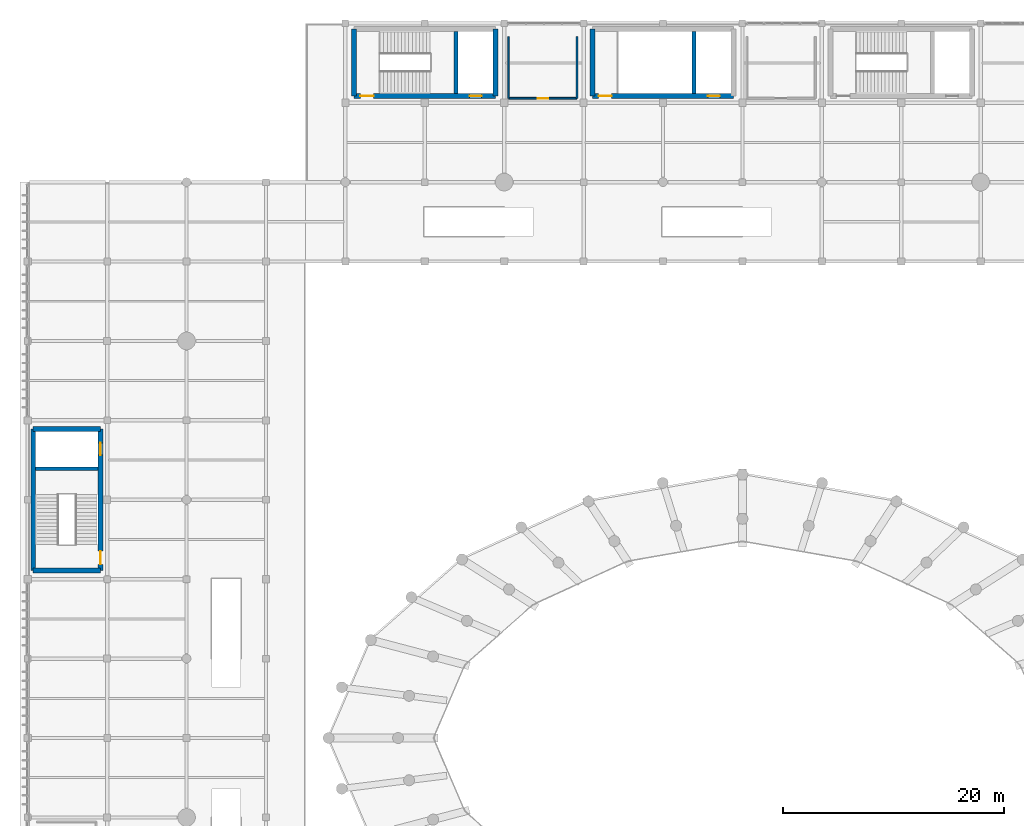
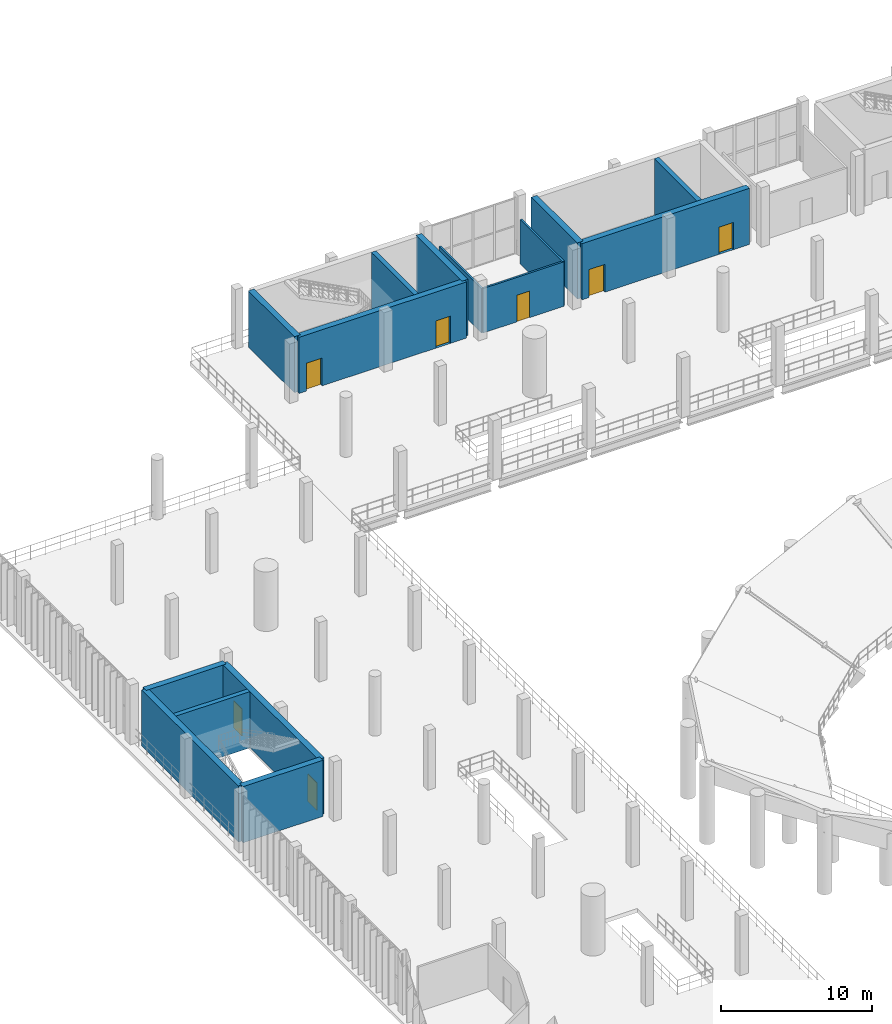
# One storey, part 85 of 105: 15 walls, 7 doors, 7 openings.
"""IFC4 building model written with IfcOpenShell, lengths in metres."""

from ifc_helpers import new_model, si_unit, direction, frame, frame_2d, origin, place, context, subcontext, project, spatial, rectangle, extrude, material, layer, layer_set, type_object, element, fill, save


model = new_model("IFC4")

# Units and contexts
model_context = context("Model", 3, precision=1e-05, world=origin(), true_north=direction((0.0, 1.0)))
body_context = subcontext(model_context, "Body", "Model", "MODEL_VIEW")
ifc_project = project(units=[si_unit("LENGTHUNIT", "METRE"), si_unit("AREAUNIT", "SQUARE_METRE"), si_unit("VOLUMEUNIT", "CUBIC_METRE"), si_unit("PLANEANGLEUNIT", "RADIAN"), si_unit("MASSUNIT", "GRAM", prefix="KILO")], contexts=[model_context])

# Site, building, storey
site_placement = place(None, origin())
site = spatial("IfcSite", under=ifc_project, at=site_placement, CompositionType="ELEMENT")
building_placement = place(site_placement, origin())
building = spatial("IfcBuilding", under=site, at=building_placement, Name="Qandorah Velis Arena", CompositionType="ELEMENT")
storey_placement = place(building_placement, frame((0.0, 0.0, 13.800048828125)))
storey = spatial("IfcBuildingStorey", under=building, at=storey_placement, Name="L03", CompositionType="ELEMENT", Elevation=13.800048828125)

# Wall, opening, door
ifc_material_1 = material(Name="Concrete C35/45", Category="concrete")
ifc_layer_1 = layer(ifc_material_1, 0.14990234375)
ifc_layer_set_1 = layer_set([ifc_layer_1], Name="Concrete C35/45")
wall_type_1 = type_object("IfcWallType", Name="ARC-WAL-PART150", PredefinedType="PARTITIONING", material=ifc_layer_set_1)
wall_1_placement = place(storey_placement, frame((43.60009765625, 122.800048828125, 0.0), z_axis=(0.0, 0.0, 1.0), x_axis=(1.0, 0.0, 0.0)))
wall_1 = element("IfcWall", 1, at=wall_1_placement, inside=storey, type_object=wall_type_1, Name="Interior partition L03-L03-MWC (S)", PredefinedType="PARTITIONING", context=body_context, shape_type="SweptSolid", body=[
    extrude(rectangle(XDim=6.199951171875, YDim=0.14990234375, at=frame_2d((3.10009765625, 0.0))), origin(), (0.0, 0.0, 1.0), 3.58984375),
])
opening_1_placement = place(wall_1_placement, frame((2.625, 0.0, 0.0)))
opening_1 = element("IfcOpeningElement", 2, at=opening_1_placement, cuts=wall_1, Name="Opening D4", PredefinedType="OPENING", context=body_context, shape_type="SweptSolid", body=[
    extrude(rectangle(XDim=0.949951171875, YDim=2.14990234375, at=frame_2d((0.47509765625, 1.074951171875))), frame((0.0, 0.0849609375, 0.0), z_axis=(0.0, -1.0, 0.0), x_axis=(1.0, 0.0, 0.0)), (0.0, 0.0, 1.0), 0.169921875),
])
ifc_material_2 = material(Name="Moisture-resistant laminate door")
door_type_1 = type_object("IfcDoorType", Name="ARC-DR-WC950", OperationType="NOTDEFINED", PredefinedType="DOOR", material=ifc_material_2)
door_1_placement = place(opening_1_placement, origin())
door_1 = element("IfcDoor", 3, at=door_1_placement, inside=storey, type_object=door_type_1, Name="Door L03-L03-MWC", OperationType="SINGLE_SWING_LEFT", OverallHeight=2.14990234375, OverallWidth=0.949951171875, PredefinedType="DOOR", context=body_context, shape_type="SweptSolid", body=[
    extrude(rectangle(XDim=0.949951171875, YDim=2.14990234375, at=frame_2d((0.47509765625, 1.074951171875))), frame((0.0, 0.02490234375, 0.0), z_axis=(0.0, -1.0, 0.0), x_axis=(1.0, 0.0, 0.0)), (0.0, 0.0, 1.0), 0.050048828125),
])
fill(opening_1, door_1)

# Walls
for number, where, z_axis, x_axis, name in (
    (4, (49.800048828125, 122.800048828125, 0.0), (0.0, 0.0, 1.0), (0.0, 1.0, 0.0), "Interior partition L03-L03-MWC (E)"),
    (5, (43.60009765625, 128.39990234375, 0.0), (0.0, 0.0, 1.0), (0.0, -1.0, 0.0), "Interior partition L03-L03-MWC (W)"),
):
    element("IfcWall", number, at=place(storey_placement, frame(where, z_axis=z_axis, x_axis=x_axis)), inside=storey, type_object=wall_type_1, Name=name, PredefinedType="PARTITIONING", context=body_context, shape_type="SweptSolid", body=[
        extrude(rectangle(XDim=5.599853515625, YDim=0.14990234375, at=frame_2d((2.7998046875, 0.0))), origin(), (0.0, 0.0, 1.0), 3.58984375),
    ])

# Wall, openings, doors
ifc_material_3 = material(Name="Concrete C40/50", Category="concrete")
ifc_layer_2 = layer(ifc_material_3, 0.449951171875)
ifc_layer_set_2 = layer_set([ifc_layer_2], Name="Concrete C40/50")
wall_type_2 = type_object("IfcWallType", Name="STR-WAL-CORE450", PredefinedType="SHEAR", material=ifc_layer_set_2)
wall_2_placement = place(storey_placement, frame((29.60009765625, 123.0, 0.0), z_axis=(0.0, 0.0, 1.0), x_axis=(1.0, 0.0, 0.0)))
wall_2 = element("IfcWall", 6, at=wall_2_placement, inside=storey, type_object=wall_type_2, Name="Core CORE-03 shear wall S (L03)", PredefinedType="SHEAR", context=body_context, shape_type="SweptSolid", body=[
    extrude(rectangle(XDim=12.7998046875, YDim=0.449951171875, at=frame_2d((6.39990234375, 0.0))), origin(), (0.0, 0.0, 1.0), 4.530029296875),
])
opening_2_placement = place(wall_2_placement, frame((0.550048828125, 0.0, 0.0)))
opening_2 = element("IfcOpeningElement", 7, at=opening_2_placement, cuts=wall_2, Name="Opening SD1", PredefinedType="OPENING", context=body_context, shape_type="SweptSolid", body=[
    extrude(rectangle(XDim=1.199951171875, YDim=2.25, at=frame_2d((0.60009765625, 1.125))), frame((0.0, 0.23486328125, 0.0), z_axis=(0.0, -1.0, 0.0), x_axis=(1.0, 0.0, 0.0)), (0.0, 0.0, 1.0), 0.469970703125),
])
opening_3_placement = place(wall_2_placement, frame((10.4580078125, 0.0, 0.0)))
opening_3 = element("IfcOpeningElement", 8, at=opening_3_placement, cuts=wall_2, Name="Opening LD1", PredefinedType="OPENING", context=body_context, shape_type="SweptSolid", body=[
    extrude(rectangle(XDim=1.10009765625, YDim=2.199951171875, at=frame_2d((0.550048828125, 1.10009765625))), frame((0.0, 0.23486328125, 0.0), z_axis=(0.0, -1.0, 0.0), x_axis=(1.0, 0.0, 0.0)), (0.0, 0.0, 1.0), 0.469970703125),
])
ifc_material_4 = material(Name="Stainless steel sliding lift landing door", Category="steel")
door_type_2 = type_object("IfcDoorType", Name="ARC-DR-LD1100", OperationType="NOTDEFINED", PredefinedType="DOOR", material=ifc_material_4)
door_2_placement = place(opening_3_placement, origin())
door_2 = element("IfcDoor", 9, at=door_2_placement, inside=storey, type_object=door_type_2, Name="Lift PL1 sliding landing door (L03)", OperationType="SLIDING_TO_LEFT", OverallHeight=2.199951171875, OverallWidth=1.10009765625, PredefinedType="DOOR", context=body_context, shape_type="SweptSolid", body=[
    extrude(rectangle(XDim=1.10009765625, YDim=2.199951171875, at=frame_2d((0.550048828125, 1.10009765625))), frame((0.0, 0.02490234375, 0.0), z_axis=(0.0, -1.0, 0.0), x_axis=(1.0, 0.0, 0.0)), (0.0, 0.0, 1.0), 0.050048828125),
])
fill(opening_3, door_2)
ifc_material_5 = material(Name="Self-closing fire-rated stair steel door", Category="steel")
door_type_3 = type_object("IfcDoorType", Name="ARC-DR-ST1200", OperationType="NOTDEFINED", PredefinedType="DOOR", material=ifc_material_5)
door_3_placement = place(opening_2_placement, origin())
door_3 = element("IfcDoor", 10, at=door_3_placement, inside=storey, type_object=door_type_3, Name="Stair ST3 fire door (L03)", OperationType="SINGLE_SWING_RIGHT", OverallHeight=2.25, OverallWidth=1.199951171875, PredefinedType="DOOR", context=body_context, shape_type="SweptSolid", body=[
    extrude(rectangle(XDim=1.199951171875, YDim=2.25, at=frame_2d((0.60009765625, 1.125))), frame((0.0, 0.02490234375, 0.0), z_axis=(0.0, -1.0, 0.0), x_axis=(1.0, 0.0, 0.0)), (0.0, 0.0, 1.0), 0.050048828125),
])
fill(opening_2, door_3)

# Walls
for number, where, z_axis, x_axis, name in (
    (11, (29.60009765625, 123.0, 0.0), (0.0, 0.0, 1.0), (0.0, 1.0, 0.0), "Core CORE-03 shear wall W (L03)"),
    (12, (42.39990234375, 123.0, 0.0), (0.0, 0.0, 1.0), (0.0, 1.0, 0.0), "Core CORE-03 shear wall E (L03)"),
    (13, (0.5, 80.0, 0.0), (0.0, 0.0, 1.0), (1.0, 0.0, 0.0), "Core CORE-06 shear wall S (L03)"),
    (14, (0.5, 92.800048828125, 0.0), (0.0, 0.0, 1.0), (1.0, 0.0, 0.0), "Core CORE-06 shear wall N (L03)"),
):
    element("IfcWall", number, at=place(storey_placement, frame(where, z_axis=z_axis, x_axis=x_axis)), inside=storey, type_object=wall_type_2, Name=name, PredefinedType="SHEAR", context=body_context, shape_type="SweptSolid", body=[
        extrude(rectangle(XDim=6.10009765625, YDim=0.449951171875, at=frame_2d((3.050048828125, 0.0))), origin(), (0.0, 0.0, 1.0), 4.530029296875),
    ])
wall_3_placement = place(storey_placement, frame((0.5, 80.0, 0.0), z_axis=(0.0, 0.0, 1.0), x_axis=(0.0, 1.0, 0.0)))
element("IfcWall", 15, at=wall_3_placement, inside=storey, type_object=wall_type_2, Name="Core CORE-06 shear wall W (L03)", PredefinedType="SHEAR", context=body_context, shape_type="SweptSolid", body=[
    extrude(rectangle(XDim=12.800048828125, YDim=0.449951171875, at=frame_2d((6.39990234375, 0.0))), origin(), (0.0, 0.0, 1.0), 4.530029296875),
])

# Wall, openings, doors
wall_4_placement = place(storey_placement, frame((6.60009765625, 80.0, 0.0), z_axis=(0.0, 0.0, 1.0), x_axis=(0.0, 1.0, 0.0)))
wall_4 = element("IfcWall", 16, at=wall_4_placement, inside=storey, type_object=wall_type_2, Name="Core CORE-06 shear wall E (L03)", PredefinedType="SHEAR", context=body_context, shape_type="SweptSolid", body=[
    extrude(rectangle(XDim=12.800048828125, YDim=0.449951171875, at=frame_2d((6.39990234375, 0.0))), origin(), (0.0, 0.0, 1.0), 4.530029296875),
])
opening_4_placement = place(wall_4_placement, frame((0.550048828125, 0.0, 0.0)))
opening_4 = element("IfcOpeningElement", 17, at=opening_4_placement, cuts=wall_4, Name="Opening SD1", PredefinedType="OPENING", context=body_context, shape_type="SweptSolid", body=[
    extrude(rectangle(XDim=1.199951171875, YDim=2.25, at=frame_2d((0.60009765625, 1.125))), frame((0.0, 0.23486328125, 0.0), z_axis=(0.0, -1.0, 0.0), x_axis=(1.0, 0.0, 0.0)), (0.0, 0.0, 1.0), 0.469970703125),
])
opening_5_placement = place(wall_4_placement, frame((10.4580078125, 0.0, 0.0)))
opening_5 = element("IfcOpeningElement", 18, at=opening_5_placement, cuts=wall_4, Name="Opening LD1", PredefinedType="OPENING", context=body_context, shape_type="SweptSolid", body=[
    extrude(rectangle(XDim=1.10009765625, YDim=2.199951171875, at=frame_2d((0.550048828125, 1.10009765625))), frame((0.0, 0.23486328125, 0.0), z_axis=(0.0, -1.0, 0.0), x_axis=(1.0, 0.0, 0.0)), (0.0, 0.0, 1.0), 0.469970703125),
])
door_4_placement = place(opening_5_placement, origin())
door_4 = element("IfcDoor", 19, at=door_4_placement, inside=storey, type_object=door_type_2, Name="Lift PL4 sliding landing door (L03)", OperationType="SLIDING_TO_LEFT", OverallHeight=2.199951171875, OverallWidth=1.10009765625, PredefinedType="DOOR", context=body_context, shape_type="SweptSolid", body=[
    extrude(rectangle(XDim=1.10009765625, YDim=2.199951171875, at=frame_2d((0.550048828125, 1.10009765625))), frame((0.0, 0.02490234375, 0.0), z_axis=(0.0, -1.0, 0.0), x_axis=(1.0, 0.0, 0.0)), (0.0, 0.0, 1.0), 0.050048828125),
])
fill(opening_5, door_4)
door_5_placement = place(opening_4_placement, origin())
door_5 = element("IfcDoor", 20, at=door_5_placement, inside=storey, type_object=door_type_3, Name="Stair ST6 fire door (L03)", OperationType="SINGLE_SWING_RIGHT", OverallHeight=2.25, OverallWidth=1.199951171875, PredefinedType="DOOR", context=body_context, shape_type="SweptSolid", body=[
    extrude(rectangle(XDim=1.199951171875, YDim=2.25, at=frame_2d((0.60009765625, 1.125))), frame((0.0, 0.02490234375, 0.0), z_axis=(0.0, -1.0, 0.0), x_axis=(1.0, 0.0, 0.0)), (0.0, 0.0, 1.0), 0.050048828125),
])
fill(opening_4, door_5)

wall_5_placement = place(storey_placement, frame((51.199951171875, 123.0, 0.0), z_axis=(0.0, 0.0, 1.0), x_axis=(1.0, 0.0, 0.0)))
wall_5 = element("IfcWall", 21, at=wall_5_placement, inside=storey, type_object=wall_type_2, Name="Core CORE-10 shear wall S (L03)", PredefinedType="SHEAR", context=body_context, shape_type="SweptSolid", body=[
    extrude(rectangle(XDim=12.800048828125, YDim=0.449951171875, at=frame_2d((6.39990234375, 0.0))), origin(), (0.0, 0.0, 1.0), 4.530029296875),
])
opening_6_placement = place(wall_5_placement, frame((0.550048828125, 0.0, 0.0)))
opening_6 = element("IfcOpeningElement", 22, at=opening_6_placement, cuts=wall_5, Name="Opening SD1", PredefinedType="OPENING", context=body_context, shape_type="SweptSolid", body=[
    extrude(rectangle(XDim=1.199951171875, YDim=2.25, at=frame_2d((0.60009765625, 1.125))), frame((0.0, 0.23486328125, 0.0), z_axis=(0.0, -1.0, 0.0), x_axis=(1.0, 0.0, 0.0)), (0.0, 0.0, 1.0), 0.469970703125),
])
opening_7_placement = place(wall_5_placement, frame((10.4580078125, 0.0, 0.0)))
opening_7 = element("IfcOpeningElement", 23, at=opening_7_placement, cuts=wall_5, Name="Opening LD1", PredefinedType="OPENING", context=body_context, shape_type="SweptSolid", body=[
    extrude(rectangle(XDim=1.10009765625, YDim=2.199951171875, at=frame_2d((0.550048828125, 1.10009765625))), frame((0.0, 0.23486328125, 0.0), z_axis=(0.0, -1.0, 0.0), x_axis=(1.0, 0.0, 0.0)), (0.0, 0.0, 1.0), 0.469970703125),
])
door_6_placement = place(opening_7_placement, origin())
door_6 = element("IfcDoor", 24, at=door_6_placement, inside=storey, type_object=door_type_2, Name="Lift PL7 sliding landing door (L03)", OperationType="SLIDING_TO_RIGHT", OverallHeight=2.199951171875, OverallWidth=1.10009765625, PredefinedType="DOOR", context=body_context, shape_type="SweptSolid", body=[
    extrude(rectangle(XDim=1.10009765625, YDim=2.199951171875, at=frame_2d((0.550048828125, 1.10009765625))), frame((0.0, 0.02490234375, 0.0), z_axis=(0.0, -1.0, 0.0), x_axis=(1.0, 0.0, 0.0)), (0.0, 0.0, 1.0), 0.050048828125),
])
fill(opening_7, door_6)
door_7_placement = place(opening_6_placement, origin())
door_7 = element("IfcDoor", 25, at=door_7_placement, inside=storey, type_object=door_type_3, Name="Stair ST10 fire door (L03)", OperationType="SINGLE_SWING_LEFT", OverallHeight=2.25, OverallWidth=1.199951171875, PredefinedType="DOOR", context=body_context, shape_type="SweptSolid", body=[
    extrude(rectangle(XDim=1.199951171875, YDim=2.25, at=frame_2d((0.60009765625, 1.125))), frame((0.0, 0.02490234375, 0.0), z_axis=(0.0, -1.0, 0.0), x_axis=(1.0, 0.0, 0.0)), (0.0, 0.0, 1.0), 0.050048828125),
])
fill(opening_6, door_7)

# Walls
wall_6_placement = place(storey_placement, frame((51.199951171875, 123.0, 0.0), z_axis=(0.0, 0.0, 1.0), x_axis=(0.0, 1.0, 0.0)))
element("IfcWall", 26, at=wall_6_placement, inside=storey, type_object=wall_type_2, Name="Core CORE-10 shear wall W (L03)", PredefinedType="SHEAR", context=body_context, shape_type="SweptSolid", body=[
    extrude(rectangle(XDim=6.10009765625, YDim=0.449951171875, at=frame_2d((3.050048828125, 0.0))), origin(), (0.0, 0.0, 1.0), 4.530029296875),
])
ifc_layer_3 = layer(ifc_material_3, 0.35009765625)
ifc_layer_set_3 = layer_set([ifc_layer_3], Name="Concrete C40/50")
wall_type_3 = type_object("IfcWallType", Name="STR-WAL-SH350", PredefinedType="SHEAR", material=ifc_layer_set_3)
for number, where, z_axis, x_axis, name in (
    (27, (38.81591796875, 123.22509765625, 0.0), (0.0, 0.0, 1.0), (0.0, 1.0, 0.0), "Core CORE-03 shaft divider shear wall (L03)"),
    (28, (0.72509765625, 89.216064453125, 0.0), (0.0, 0.0, 1.0), (1.0, 0.0, 0.0), "Core CORE-06 shaft divider shear wall (L03)"),
    (29, (60.416015625, 123.22509765625, 0.0), (0.0, 0.0, 1.0), (0.0, 1.0, 0.0), "Core CORE-10 shaft divider shear wall (L03)"),
):
    element("IfcWall", number, at=place(storey_placement, frame(where, z_axis=z_axis, x_axis=x_axis)), inside=storey, type_object=wall_type_3, Name=name, PredefinedType="SHEAR", context=body_context, shape_type="SweptSolid", body=[
        extrude(rectangle(XDim=5.64990234375, YDim=0.35009765625, at=frame_2d((2.824951171875, 0.0))), origin(), (0.0, 0.0, 1.0), 4.530029296875),
    ])

save(model, "model.ifc")
